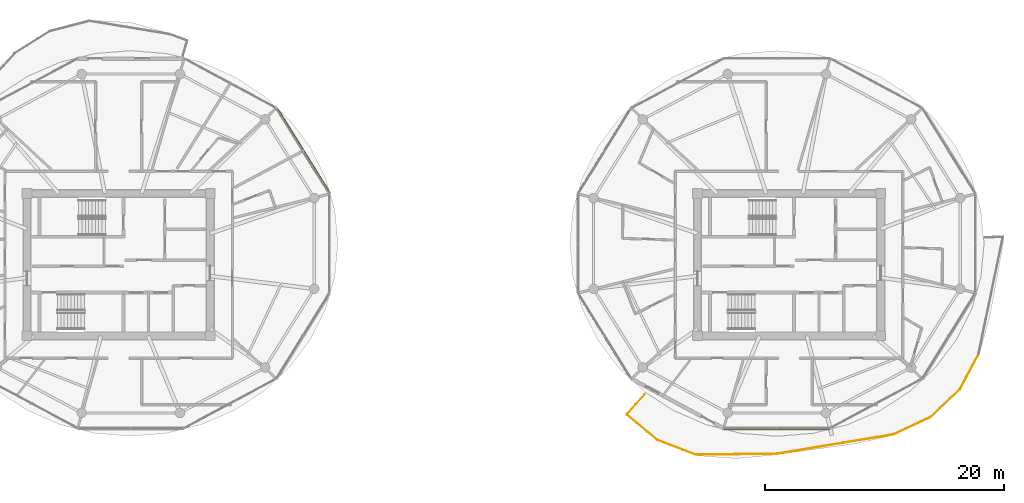
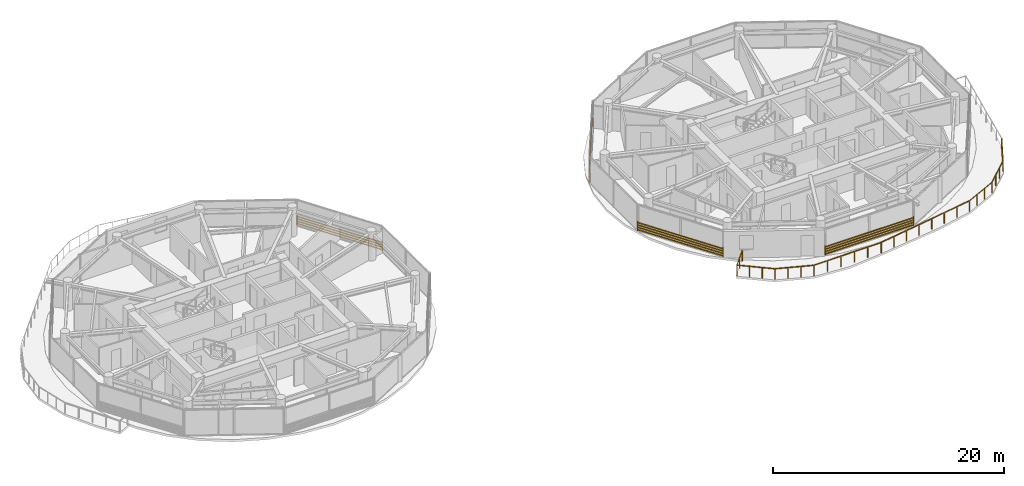
# One storey, part 23 of 24: 4 shading devices, 1 railing.
"""IFC4 building model written with IfcOpenShell, lengths in metres."""

from ifc_helpers import new_model, si_unit, direction, frame, origin, origin_2d, place, context, subcontext, project, spatial, rectangle, extrude, source, transform, mapped, material, type_object, type_shapes, element, save


model = new_model("IFC4")

# Units and contexts
model_context = context("Model", 3, precision=1e-05, world=origin(), true_north=direction((0.0, 1.0)))
body_context = subcontext(model_context, "Body", "Model", "MODEL_VIEW")
ifc_project = project(units=[si_unit("LENGTHUNIT", "METRE"), si_unit("AREAUNIT", "SQUARE_METRE"), si_unit("VOLUMEUNIT", "CUBIC_METRE"), si_unit("PLANEANGLEUNIT", "RADIAN"), si_unit("MASSUNIT", "GRAM", prefix="KILO")], contexts=[model_context])

# Site, building, storey
site_placement = place(None, origin())
site = spatial("IfcSite", under=ifc_project, at=site_placement, CompositionType="ELEMENT")
building_placement = place(site_placement, origin())
building = spatial("IfcBuilding", under=site, at=building_placement, Name="Norrkilde Senior Care Towers", CompositionType="ELEMENT")
storey_placement = place(building_placement, frame((0.0, 0.0, 155.64990234375)))
storey = spatial("IfcBuildingStorey", under=building, at=storey_placement, Name="L48", CompositionType="ELEMENT", Elevation=155.64990234375)

# Railing
ifc_material_1 = material(Name="Anodised Aluminium", Category="aluminium")
railing_type = type_object("IfcRailingType", Name="Balcony Swirl Ribbon Guardrail 1150", PredefinedType="GUARDRAIL", material=ifc_material_1)
railing_placement = place(storey_placement, frame((43.8251953125, -7.449951171875, 0.0)))
element("IfcRailing", 1, at=railing_placement, inside=storey, type_object=railing_type, Name="L48 Perimeter Safety Guard 01", PredefinedType="GUARDRAIL", context=body_context, shape_type="SweptSolid", body=[
    extrude(rectangle(XDim=0.048095703125, YDim=0.048095703125, at=origin_2d()), frame((0.0, 0.0, 1.1259765625), z_axis=(-0.470414204719, -0.882445735441, 0.0), x_axis=(0.882445735441, -0.470414204719, 0.0)), (0.0, 0.0, 1.0), 3.30859375),
    extrude(rectangle(XDim=0.048095703125, YDim=0.048095703125, at=origin_2d()), frame((-1.605224609375, -2.98388671875, 1.1259765625), z_axis=(-0.725118505211, -0.68862410167, 0.0), x_axis=(0.68862410167, -0.725118505211, 0.0)), (0.0, 0.0, 1.0), 3.296630859375),
    extrude(rectangle(XDim=0.048095703125, YDim=0.048095703125, at=origin_2d()), frame((-4.0625, -5.299560546875, 1.1259765625), z_axis=(-0.905722465494, -0.423871225137, 0.0), x_axis=(0.423871225137, -0.905722465494, 0.0)), (0.0, 0.0, 1.0), 3.320556640625),
    extrude(rectangle(XDim=0.048095703125, YDim=0.048095703125, at=origin_2d()), frame((-7.147216796875, -6.73095703125, 1.1259765625), z_axis=(-0.986485208952, -0.16385033573, 0.0), x_axis=(0.16385033573, -0.986485208952, 0.0)), (0.0, 0.0, 1.0), 9.804443359375),
    extrude(rectangle(XDim=0.048095703125, YDim=0.048095703125, at=origin_2d()), frame((-16.900390625, -8.3447265625, 1.1259765625), z_axis=(-0.999943760484, -0.010605464126, 0.0), x_axis=(0.010605464126, -0.999943760484, 0.0)), (0.0, 0.0, 1.0), 6.686279296875),
    extrude(rectangle(XDim=0.048095703125, YDim=0.048095703125, at=origin_2d()), frame((-23.665283203125, -8.4013671875, 1.1259765625), z_axis=(-0.933435611471, 0.358744977997, 0.0), x_axis=(-0.358744977997, -0.933435611471, 0.0)), (0.0, 0.0, 1.0), 3.3427734375),
    extrude(rectangle(XDim=0.048095703125, YDim=0.048095703125, at=origin_2d()), frame((-26.855224609375, -7.161376953125, 1.1259765625), z_axis=(-0.769662967698, 0.638450402267, 0.0), x_axis=(-0.638450402267, -0.769662967698, 0.0)), (0.0, 0.0, 1.0), 3.2451171875),
    extrude(rectangle(XDim=0.048095703125, YDim=0.048095703125, at=origin_2d()), frame((-29.357177734375, -5.032958984375, 1.1259765625), z_axis=(0.662634631009, 0.74894281877, 0.0), x_axis=(-0.74894281877, 0.662634631009, 0.0)), (0.0, 0.0, 1.0), 2.213623046875),
    extrude(rectangle(XDim=0.0419921875, YDim=0.0419921875, at=origin_2d()), origin(), (0.0, 0.0, 1.0), 1.099853515625),
    extrude(rectangle(XDim=0.0419921875, YDim=0.0419921875, at=origin_2d()), frame((-0.525146484375, -0.9853515625, 0.0)), (0.0, 0.0, 1.0), 1.099853515625),
    extrude(rectangle(XDim=0.0419921875, YDim=0.0419921875, at=origin_2d()), frame((-1.050537109375, -1.970458984375, 0.0)), (0.0, 0.0, 1.0), 1.099853515625),
    extrude(rectangle(XDim=0.0419921875, YDim=0.0419921875, at=origin_2d()), frame((-1.57568359375, -2.955810546875, 0.0)), (0.0, 0.0, 1.0), 1.099853515625),
    extrude(rectangle(XDim=0.0419921875, YDim=0.0419921875, at=origin_2d()), frame((-2.392333984375, -3.731201171875, 0.0)), (0.0, 0.0, 1.0), 1.099853515625),
    extrude(rectangle(XDim=0.0419921875, YDim=0.0419921875, at=origin_2d()), frame((-3.208740234375, -4.5068359375, 0.0)), (0.0, 0.0, 1.0), 1.099853515625),
    extrude(rectangle(XDim=0.0419921875, YDim=0.0419921875, at=origin_2d()), frame((-4.025390625, -5.2822265625, 0.0)), (0.0, 0.0, 1.0), 1.099853515625),
    extrude(rectangle(XDim=0.0419921875, YDim=0.0419921875, at=origin_2d()), frame((-5.052490234375, -5.762939453125, 0.0)), (0.0, 0.0, 1.0), 1.099853515625),
    extrude(rectangle(XDim=0.0419921875, YDim=0.0419921875, at=origin_2d()), frame((-6.079833984375, -6.24365234375, 0.0)), (0.0, 0.0, 1.0), 1.099853515625),
    extrude(rectangle(XDim=0.0419921875, YDim=0.0419921875, at=origin_2d()), frame((-7.10693359375, -6.724365234375, 0.0)), (0.0, 0.0, 1.0), 1.099853515625),
    extrude(rectangle(XDim=0.0419921875, YDim=0.0419921875, at=origin_2d()), frame((-8.500244140625, -6.955810546875, 0.0)), (0.0, 0.0, 1.0), 1.099853515625),
    extrude(rectangle(XDim=0.0419921875, YDim=0.0419921875, at=origin_2d()), frame((-9.893310546875, -7.187255859375, 0.0)), (0.0, 0.0, 1.0), 1.099853515625),
    extrude(rectangle(XDim=0.0419921875, YDim=0.0419921875, at=origin_2d()), frame((-11.28662109375, -7.418701171875, 0.0)), (0.0, 0.0, 1.0), 1.099853515625),
    extrude(rectangle(XDim=0.0419921875, YDim=0.0419921875, at=origin_2d()), frame((-12.679931640625, -7.64990234375, 0.0)), (0.0, 0.0, 1.0), 1.099853515625),
    extrude(rectangle(XDim=0.0419921875, YDim=0.0419921875, at=origin_2d()), frame((-14.0732421875, -7.88134765625, 0.0)), (0.0, 0.0, 1.0), 1.099853515625),
    extrude(rectangle(XDim=0.0419921875, YDim=0.0419921875, at=origin_2d()), frame((-15.46630859375, -8.11279296875, 0.0)), (0.0, 0.0, 1.0), 1.099853515625),
    extrude(rectangle(XDim=0.0419921875, YDim=0.0419921875, at=origin_2d()), frame((-16.859619140625, -8.34423828125, 0.0)), (0.0, 0.0, 1.0), 1.099853515625),
    extrude(rectangle(XDim=0.0419921875, YDim=0.0419921875, at=origin_2d()), frame((-18.213134765625, -8.358642578125, 0.0)), (0.0, 0.0, 1.0), 1.099853515625),
    extrude(rectangle(XDim=0.0419921875, YDim=0.0419921875, at=origin_2d()), frame((-19.566650390625, -8.373046875, 0.0)), (0.0, 0.0, 1.0), 1.099853515625),
    extrude(rectangle(XDim=0.0419921875, YDim=0.0419921875, at=origin_2d()), frame((-20.920166015625, -8.38720703125, 0.0)), (0.0, 0.0, 1.0), 1.099853515625),
    extrude(rectangle(XDim=0.0419921875, YDim=0.0419921875, at=origin_2d()), frame((-22.273681640625, -8.401611328125, 0.0)), (0.0, 0.0, 1.0), 1.099853515625),
    extrude(rectangle(XDim=0.0419921875, YDim=0.0419921875, at=origin_2d()), frame((-23.627197265625, -8.416015625, 0.0)), (0.0, 0.0, 1.0), 1.099853515625),
    extrude(rectangle(XDim=0.0419921875, YDim=0.0419921875, at=origin_2d()), frame((-24.692626953125, -8.006591796875, 0.0)), (0.0, 0.0, 1.0), 1.099853515625),
    extrude(rectangle(XDim=0.0419921875, YDim=0.0419921875, at=origin_2d()), frame((-25.75830078125, -7.596923828125, 0.0)), (0.0, 0.0, 1.0), 1.099853515625),
    extrude(rectangle(XDim=0.0419921875, YDim=0.0419921875, at=origin_2d()), frame((-26.82373046875, -7.1875, 0.0)), (0.0, 0.0, 1.0), 1.099853515625),
    extrude(rectangle(XDim=0.0419921875, YDim=0.0419921875, at=origin_2d()), frame((-27.67724609375, -6.4794921875, 0.0)), (0.0, 0.0, 1.0), 1.099853515625),
    extrude(rectangle(XDim=0.0419921875, YDim=0.0419921875, at=origin_2d()), frame((-28.53076171875, -5.771484375, 0.0)), (0.0, 0.0, 1.0), 1.099853515625),
    extrude(rectangle(XDim=0.0419921875, YDim=0.0419921875, at=origin_2d()), frame((-29.38427734375, -5.0634765625, 0.0)), (0.0, 0.0, 1.0), 1.099853515625),
    extrude(rectangle(XDim=0.0419921875, YDim=0.0419921875, at=origin_2d()), frame((-28.63720703125, -4.21923828125, 0.0)), (0.0, 0.0, 1.0), 1.099853515625),
    extrude(rectangle(XDim=0.0419921875, YDim=0.0419921875, at=origin_2d()), frame((-27.890380859375, -3.375, 0.0)), (0.0, 0.0, 1.0), 1.099853515625),
])

# Shading devices
ifc_material_2 = material(Name="Architectural Terracotta", Category="masonry")
shading_device_type = type_object("IfcShadingDeviceType", Name="Horizontal Terracotta Baguette Rack", PredefinedType="USERDEFINED", material=ifc_material_2)
shared_shape_1 = source(origin(), body_context, "Body", "SweptSolid", [
    extrude(rectangle(XDim=0.070068359375, YDim=0.110107421875, at=origin_2d()), frame((0.0, 0.090087890625, 0.125), z_axis=(1.0, 0.0, 0.0), x_axis=(0.0, 1.0, 0.0)), (0.0, 0.0, 1.0), 8.89306640625),
    extrude(rectangle(XDim=0.070068359375, YDim=0.110107421875, at=origin_2d()), frame((0.0, 0.090087890625, 0.375), z_axis=(1.0, 0.0, 0.0), x_axis=(0.0, 1.0, 0.0)), (0.0, 0.0, 1.0), 8.89306640625),
    extrude(rectangle(XDim=0.070068359375, YDim=0.110107421875, at=origin_2d()), frame((0.0, 0.090087890625, 0.625), z_axis=(1.0, 0.0, 0.0), x_axis=(0.0, 1.0, 0.0)), (0.0, 0.0, 1.0), 8.89306640625),
    extrude(rectangle(XDim=0.070068359375, YDim=0.110107421875, at=origin_2d()), frame((0.0, 0.090087890625, 0.875), z_axis=(1.0, 0.0, 0.0), x_axis=(0.0, 1.0, 0.0)), (0.0, 0.0, 1.0), 8.89306640625),
    extrude(rectangle(XDim=0.050048828125, YDim=0.1552734375, at=origin_2d()), frame((0.02490234375, 0.047607421875, 0.0)), (0.0, 0.0, 1.0), 1.0),
    extrude(rectangle(XDim=0.050048828125, YDim=0.1552734375, at=origin_2d()), frame((8.8681640625, 0.047607421875, 0.0)), (0.0, 0.0, 1.0), 1.0),
])
shading_device_placement = place(storey_placement, frame((31.421630859375, -13.66015625, 0.080078125), z_axis=(0.0, 0.0, 1.0), x_axis=(-1.0, 0.0, 0.0)))
element("IfcShadingDevice", 2, at=shading_device_placement, inside=storey, type_object=shading_device_type, Name="L48 Drum E Terracotta Baguette Screen 08", ObjectType="BAGUETTE", PredefinedType="USERDEFINED", context=body_context, shape_type="MappedRepresentation", body=[
    mapped(shared_shape_1, transform((0.0, 0.0, 0.0), x_axis=(1.0, 0.0, 0.0), y_axis=(0.0, 1.0, 0.0), z_axis=(0.0, 0.0, 1.0), scale=1.0)),
])
shared_shape_2 = source(origin(), body_context, "Body", "SweptSolid", [
    extrude(rectangle(XDim=0.070068359375, YDim=0.110107421875, at=origin_2d()), frame((0.0, 0.090087890625, 0.125), z_axis=(1.0, 0.0, 0.0), x_axis=(0.0, 1.0, 0.0)), (0.0, 0.0, 1.0), 8.431396484375),
    extrude(rectangle(XDim=0.070068359375, YDim=0.110107421875, at=origin_2d()), frame((0.0, 0.090087890625, 0.375), z_axis=(1.0, 0.0, 0.0), x_axis=(0.0, 1.0, 0.0)), (0.0, 0.0, 1.0), 8.431396484375),
    extrude(rectangle(XDim=0.070068359375, YDim=0.110107421875, at=origin_2d()), frame((0.0, 0.090087890625, 0.625), z_axis=(1.0, 0.0, 0.0), x_axis=(0.0, 1.0, 0.0)), (0.0, 0.0, 1.0), 8.431396484375),
    extrude(rectangle(XDim=0.070068359375, YDim=0.110107421875, at=origin_2d()), frame((0.0, 0.090087890625, 0.875), z_axis=(1.0, 0.0, 0.0), x_axis=(0.0, 1.0, 0.0)), (0.0, 0.0, 1.0), 8.431396484375),
    extrude(rectangle(XDim=0.050048828125, YDim=0.1552734375, at=origin_2d()), frame((0.02490234375, 0.047607421875, 0.0)), (0.0, 0.0, 1.0), 1.0),
    extrude(rectangle(XDim=0.050048828125, YDim=0.1552734375, at=origin_2d()), frame((8.40625, 0.047607421875, 0.0)), (0.0, 0.0, 1.0), 1.0),
])
type_shapes(shading_device_type, [shared_shape_1, shared_shape_2])
for number, where, z_axis, x_axis, name in (
    (3, (-14.826904296875, 13.074951171875, 0.080078125), (0.0, 0.0, 1.0), (0.527378022296, -0.849630809324, 0.0), "L48 Drum W Terracotta Baguette Screen 00"),
    (4, (10.38037109375, 5.911376953125, 0.080078125), (0.0, 0.0, 1.0), (0.527378022296, 0.849630809324, 0.0), "L48 Drum E Terracotta Baguette Screen 04"),
    (5, (14.826904296875, -9.524169921875, 0.080078125), (0.0, 0.0, 1.0), (-0.527378022296, 0.849630809324, 0.0), "L48 Drum E Terracotta Baguette Screen 06"),
):
    element("IfcShadingDevice", number, at=place(storey_placement, frame(where, z_axis=z_axis, x_axis=x_axis)), inside=storey, type_object=shading_device_type, Name=name, ObjectType="BAGUETTE", PredefinedType="USERDEFINED", context=body_context, shape_type="MappedRepresentation", body=[
        mapped(shared_shape_2, transform((0.0, 0.0, 0.0), x_axis=(1.0, 0.0, 0.0), y_axis=(0.0, 1.0, 0.0), z_axis=(0.0, 0.0, 1.0), scale=1.0)),
    ])

save(model, "model.ifc")
